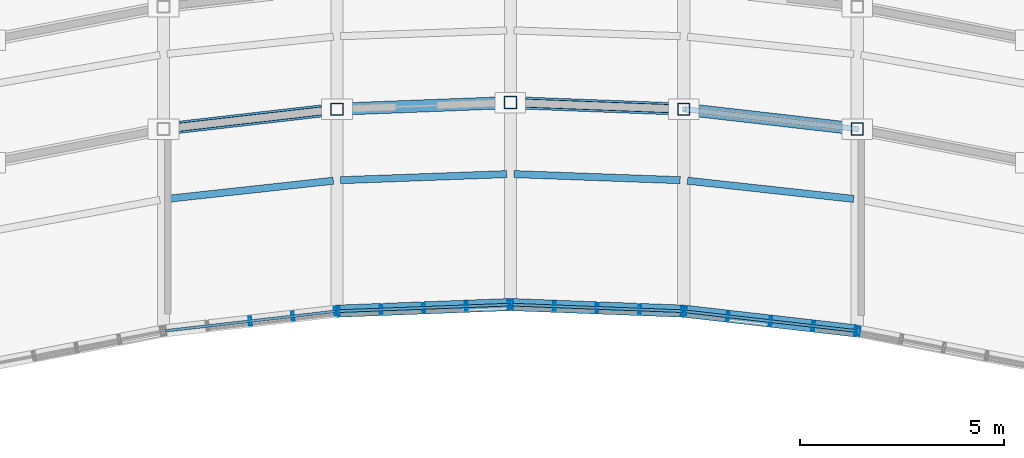
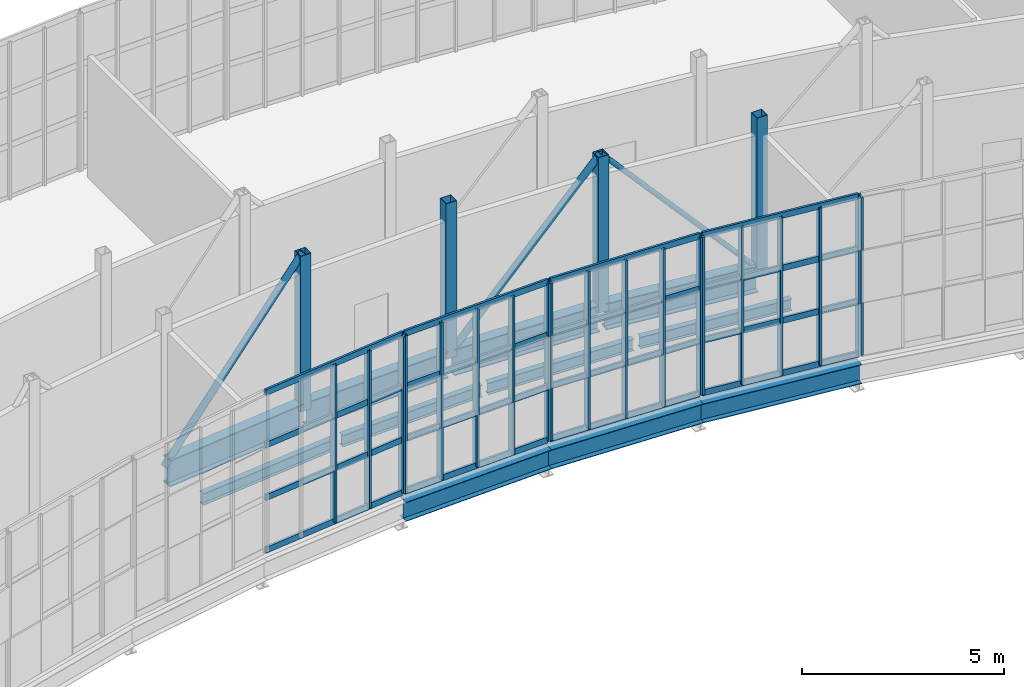
# One storey, part 38 of 86: 42 members, 11 beams, 5 elements without a shape of their own.
"""IFC4 building model written with IfcOpenShell, lengths in metres."""

from ifc_helpers import new_model, si_unit, direction, frame, origin, origin_2d, place, context, subcontext, project, spatial, hollow_rectangle, hollow_circle, i_section, extrude, material, material_profile, profile_set, type_object, element, aggregate, save


model = new_model("IFC4")

# Units and contexts
model_context = context("Model", 3, precision=1e-05, world=origin(), true_north=direction((0.0, 1.0)))
body_context = subcontext(model_context, "Body", "Model", "MODEL_VIEW")
ifc_project = project(units=[si_unit("LENGTHUNIT", "METRE"), si_unit("AREAUNIT", "SQUARE_METRE"), si_unit("VOLUMEUNIT", "CUBIC_METRE"), si_unit("PLANEANGLEUNIT", "RADIAN"), si_unit("MASSUNIT", "GRAM", prefix="KILO")], contexts=[model_context])

# Site, building, storey
site_placement = place(None, origin())
site = spatial("IfcSite", under=ifc_project, at=site_placement, CompositionType="ELEMENT")
building_placement = place(site_placement, origin())
building = spatial("IfcBuilding", under=site, at=building_placement, Name="Solvikara Media Centre", CompositionType="ELEMENT")
storey_placement = place(building_placement, frame((0.0, 0.0, 15.0)))
storey = spatial("IfcBuildingStorey", under=building, at=storey_placement, Name="L03", CompositionType="ELEMENT", Elevation=15.0)

# Beams
ifc_material_1 = material(Name="Steel S355JR", Category="steel")
ifc_material_profile_1 = material_profile(ifc_material_1, i_section(OverallWidth=0.300048828125, OverallDepth=0.800048828125, WebThickness=0.013916015625, FlangeThickness=0.02587890625, at=origin_2d()), Name="WF 800x300x14x26")
ifc_profile_set_1 = profile_set([ifc_material_profile_1], Name="Steel S355JR")
beam_type_1 = type_object("IfcBeamType", Name="BM-16", PredefinedType="BEAM", material=ifc_profile_set_1)
beam_1_placement = place(storey_placement, frame((93.589111328125, 29.778076171875, -0.6220703125), z_axis=(0.993485932274, 0.113954826025, 0.0), x_axis=(-0.113954826025, 0.993485932274, 0.0)))
element("IfcBeam", 1, at=beam_1_placement, inside=storey, type_object=beam_type_1, Name="B-L03-SPNS-04", PredefinedType="BEAM", context=body_context, shape_type="SweptSolid", body=[
    extrude(i_section(OverallWidth=0.300048828125, OverallDepth=0.800048828125, WebThickness=0.013916015625, FlangeThickness=0.02587890625, at=origin_2d()), origin(), (0.0, 0.0, 1.0), 4.098388671875),
])
for number, where, z_axis, x_axis, name in (
    (2, (97.840087890625, 30.258056640625, -0.6220703125), (0.999266124753, 0.038304202383, 0.0), (-0.038304202383, 0.999266124753, 0.0), "B-L03-SPNS-05"),
    (3, (102.090087890625, 30.4140625, -0.6220703125), (0.999266124753, -0.038304202383, 0.0), (0.038304202383, 0.999266124753, 0.0), "B-L03-SPNS-06"),
):
    element("IfcBeam", number, at=place(storey_placement, frame(where, z_axis=z_axis, x_axis=x_axis)), inside=storey, type_object=beam_type_1, Name=name, PredefinedType="BEAM", context=body_context, shape_type="SweptSolid", body=[
        extrude(i_section(OverallWidth=0.300048828125, OverallDepth=0.800048828125, WebThickness=0.013916015625, FlangeThickness=0.02587890625, at=origin_2d()), origin(), (0.0, 0.0, 1.0), 4.07275390625),
    ])
beam_2_placement = place(storey_placement, frame((106.339111328125, 30.2451171875, -0.6220703125), z_axis=(0.993485932274, -0.113954826025, 0.0), x_axis=(0.113954826025, 0.993485932274, 0.0)))
element("IfcBeam", 4, at=beam_2_placement, inside=storey, type_object=beam_type_1, Name="B-L03-SPNS-07", PredefinedType="BEAM", context=body_context, shape_type="SweptSolid", body=[
    extrude(i_section(OverallWidth=0.300048828125, OverallDepth=0.800048828125, WebThickness=0.013916015625, FlangeThickness=0.02587890625, at=origin_2d()), origin(), (0.0, 0.0, 1.0), 4.098388671875),
])
ifc_material_profile_2 = material_profile(ifc_material_1, i_section(OverallWidth=0.175048828125, OverallDepth=0.35009765625, WebThickness=0.007080078125, FlangeThickness=0.010986328125, at=origin_2d()), Name="WF 350x175x7x11")
ifc_profile_set_2 = profile_set([ifc_material_profile_2], Name="Steel S355JR")
beam_type_2 = type_object("IfcBeamType", Name="BM-22", PredefinedType="JOIST", material=ifc_profile_set_2)
beam_3_placement = place(storey_placement, frame((93.589111328125, 28.056884765625, -0.39697265625), z_axis=(0.994079138151, 0.108658488359, 0.0), x_axis=(-0.108658488359, 0.994079138151, 0.0)))
element("IfcBeam", 5, at=beam_3_placement, inside=storey, type_object=beam_type_2, Name="BJ-L03-04-20", PredefinedType="JOIST", context=body_context, shape_type="SweptSolid", body=[
    extrude(i_section(OverallWidth=0.175048828125, OverallDepth=0.35009765625, WebThickness=0.007080078125, FlangeThickness=0.010986328125, at=origin_2d()), origin(), (0.0, 0.0, 1.0), 4.095947265625),
])
for number, where, z_axis, x_axis, name in (
    (6, (97.840087890625, 28.514892578125, -0.39697265625), (0.999328966943, 0.036628074313, 0.0), (-0.036628074313, 0.999328966943, 0.0), "BJ-L03-05-20"),
    (7, (102.090087890625, 28.6640625, -0.39697265625), (0.999328966943, -0.036628074313, 0.0), (0.036628074313, 0.999328966943, 0.0), "BJ-L03-06-20"),
):
    element("IfcBeam", number, at=place(storey_placement, frame(where, z_axis=z_axis, x_axis=x_axis)), inside=storey, type_object=beam_type_2, Name=name, PredefinedType="JOIST", context=body_context, shape_type="SweptSolid", body=[
        extrude(i_section(OverallWidth=0.175048828125, OverallDepth=0.35009765625, WebThickness=0.007080078125, FlangeThickness=0.010986328125, at=origin_2d()), origin(), (0.0, 0.0, 1.0), 4.072509765625),
    ])
beam_4_placement = place(storey_placement, frame((106.339111328125, 28.501953125, -0.39697265625), z_axis=(0.994079138151, -0.108658488359, 0.0), x_axis=(0.108658488359, 0.994079138151, 0.0)))
element("IfcBeam", 8, at=beam_4_placement, inside=storey, type_object=beam_type_2, Name="BJ-L03-07-20", PredefinedType="JOIST", context=body_context, shape_type="SweptSolid", body=[
    extrude(i_section(OverallWidth=0.175048828125, OverallDepth=0.35009765625, WebThickness=0.007080078125, FlangeThickness=0.010986328125, at=origin_2d()), origin(), (0.0, 0.0, 1.0), 4.095947265625),
])
ifc_material_profile_3 = material_profile(ifc_material_1, i_section(OverallWidth=0.300048828125, OverallDepth=0.58203125, WebThickness=0.011962890625, FlangeThickness=0.01708984375, at=origin_2d()), Name="WF 582x300x12x17")
ifc_profile_set_3 = profile_set([ifc_material_profile_3], Name="Steel S355JR")
beam_type_3 = type_object("IfcBeamType", Name="BM-31", PredefinedType="SPANDREL", material=ifc_profile_set_3)
for number, where, z_axis, x_axis, name in (
    (9, (97.75, 25.304931640625, -0.512939453125), (0.999273334025, 0.038115664855, 0.0), (-0.038115664855, 0.999273334025, 0.0), "B-L03-SARC-05"),
    (10, (102.0, 25.467041015625, -0.512939453125), (0.999273334025, -0.038115664855, 0.0), (0.038115664855, 0.999273334025, 0.0), "B-L03-SARC-06"),
):
    element("IfcBeam", number, at=place(storey_placement, frame(where, z_axis=z_axis, x_axis=x_axis)), inside=storey, type_object=beam_type_3, Name=name, PredefinedType="SPANDREL", context=body_context, shape_type="SweptSolid", body=[
        extrude(i_section(OverallWidth=0.300048828125, OverallDepth=0.58203125, WebThickness=0.011962890625, FlangeThickness=0.01708984375, at=origin_2d()), origin(), (0.0, 0.0, 1.0), 4.253173828125),
    ])
beam_5_placement = place(storey_placement, frame((106.25, 25.304931640625, -0.512939453125), z_axis=(0.993503575407, -0.113800903571, 0.0), x_axis=(0.113800903571, 0.993503575407, 0.0)))
element("IfcBeam", 11, at=beam_5_placement, inside=storey, type_object=beam_type_3, Name="B-L03-SARC-07", PredefinedType="SPANDREL", context=body_context, shape_type="SweptSolid", body=[
    extrude(i_section(OverallWidth=0.300048828125, OverallDepth=0.58203125, WebThickness=0.011962890625, FlangeThickness=0.01708984375, at=origin_2d()), origin(), (0.0, 0.0, 1.0), 4.27783203125),
])

# Members
ifc_material_profile_4 = material_profile(ifc_material_1, hollow_circle(Radius=0.096923828125, WallThickness=0.008056640625, at=origin_2d()), Name="CHS 193.7x8")
ifc_profile_set_4 = profile_set([ifc_material_profile_4], Name="Steel S355JR")
member_type_1 = type_object("IfcMemberType", Name="MB-06", PredefinedType="BRACE", material=ifc_profile_set_4)
member_1_placement = place(storey_placement, frame((93.5, 29.76806640625, -0.449951171875), z_axis=(0.668739862993, 0.076600832193, 0.739539930059), x_axis=(-0.113800903571, 0.993503575407, 0.0)))
element("IfcMember", 12, at=member_1_placement, inside=storey, type_object=member_type_1, Name="WTR-L03-S-DA04", PredefinedType="BRACE", context=body_context, shape_type="SweptSolid", body=[
    extrude(hollow_circle(Radius=0.096923828125, WallThickness=0.008056640625, at=origin_2d()), origin(), (0.0, 0.0, 1.0), 6.355224609375),
])
member_2_placement = place(storey_placement, frame((102.0, 30.4169921875, -0.449951171875), z_axis=(0.67049113608, -0.025574799768, 0.741476611941), x_axis=(0.038115664855, 0.999273334025, 0.0)))
element("IfcMember", 13, at=member_2_placement, inside=storey, type_object=member_type_1, Name="WTR-L03-S-DA06", PredefinedType="BRACE", context=body_context, shape_type="SweptSolid", body=[
    extrude(hollow_circle(Radius=0.096923828125, WallThickness=0.008056640625, at=origin_2d()), origin(), (0.0, 0.0, 1.0), 6.338623046875),
])
ifc_material_profile_5 = material_profile(ifc_material_1, hollow_circle(Radius=0.06982421875, WallThickness=0.00634765625, at=origin_2d()), Name="CHS 139.7x6.3")
ifc_profile_set_5 = profile_set([ifc_material_profile_5], Name="Steel S355JR")
member_type_2 = type_object("IfcMemberType", Name="MB-08", PredefinedType="BRACE", material=ifc_profile_set_5)
member_3_placement = place(storey_placement, frame((106.25, 30.2548828125, 4.25), z_axis=(0.668739862993, -0.076600832193, -0.739539930059), x_axis=(0.113800903571, 0.993503575407, 0.0)))
element("IfcMember", 14, at=member_3_placement, inside=storey, type_object=member_type_2, Name="WTR-L03-S-DB07", PredefinedType="BRACE", context=body_context, shape_type="SweptSolid", body=[
    extrude(hollow_circle(Radius=0.06982421875, WallThickness=0.00634765625, at=origin_2d()), origin(), (0.0, 0.0, 1.0), 6.355224609375),
])
ifc_material_profile_6 = material_profile(ifc_material_1, hollow_rectangle(XDim=0.300048828125, YDim=0.300048828125, WallThickness=0.012451171875, at=origin_2d()), Name="RHS 300x300x12.5")
ifc_profile_set_6 = profile_set([ifc_material_profile_6], Name="Steel S355JR")
member_type_3 = type_object("IfcMemberType", Name="MB-11", PredefinedType="CHORD", material=ifc_profile_set_6)
for number, where, z_axis, x_axis, name in (
    (15, (97.75, 30.2548828125, -0.449951171875), (0.0, 0.0, 1.0), (1.0, 0.0, 0.0), "WTR-L03-S-V05"),
    (16, (102.0, 30.4169921875, -0.449951171875), (0.0, 0.0, 1.0), (1.0, 0.0, 0.0), "WTR-L03-S-V06"),
    (17, (106.25, 30.2548828125, -0.449951171875), (0.0, 0.0, 1.0), (1.0, 0.0, 0.0), "WTR-L03-S-V07"),
    (18, (110.5, 29.76806640625, -0.449951171875), (0.0, 0.0, 1.0), (1.0, 0.0, 0.0), "WTR-L03-S-V08"),
):
    element("IfcMember", number, at=place(storey_placement, frame(where, z_axis=z_axis, x_axis=x_axis)), inside=storey, type_object=member_type_3, Name=name, PredefinedType="CHORD", context=body_context, shape_type="SweptSolid", body=[
        extrude(hollow_rectangle(XDim=0.300048828125, YDim=0.300048828125, WallThickness=0.012451171875, at=origin_2d()), origin(), (0.0, 0.0, 1.0), 4.699951171875),
    ])

# Curtain wall, members
ifc_material_2 = material(Name="Anodised aluminium EN AW-6063", Category="aluminium")
curtain_wall_type = type_object("IfcCurtainWallType", Name="CW-01", PredefinedType="NOTDEFINED", material=ifc_material_2)
curtain_wall_1_placement = place(storey_placement, origin())
curtain_wall_1 = element("IfcCurtainWall", 19, at=curtain_wall_1_placement, inside=storey, type_object=curtain_wall_type, Name="CW-L03-SARC-04", PredefinedType="NOTDEFINED")
ifc_material_profile_7 = material_profile(ifc_material_2, hollow_rectangle(XDim=0.06494140625, YDim=0.219970703125, WallThickness=0.00390625, at=origin_2d()), Name="ALU-M 65x220x4")
ifc_profile_set_7 = profile_set([ifc_material_profile_7], Name="Anodised aluminium EN AW-6063")
member_type_4 = type_object("IfcMemberType", Name="MF-01", PredefinedType="MULLION", material=ifc_profile_set_7)
member_4_placement = place(storey_placement, frame((95.625, 25.06201171875, 0.02001953125), z_axis=(0.0, 0.0, 1.0), x_axis=(0.993498545066, 0.113844810828, 0.0)))
member_4 = element("IfcMember", 20, at=member_4_placement, type_object=member_type_4, Name="CW-L03-SARC-04-M02", PredefinedType="MULLION", context=body_context, shape_type="SweptSolid", body=[
    extrude(hollow_rectangle(XDim=0.06494140625, YDim=0.219970703125, WallThickness=0.00390625, at=origin_2d()), origin(), (0.0, 0.0, 1.0), 4.760009765625),
])
member_5_placement = place(storey_placement, frame((96.669921875, 25.180908203125, 0.02001953125), z_axis=(0.0, 0.0, 1.0), x_axis=(0.993498545066, 0.113844810828, 0.0)))
member_5 = element("IfcMember", 21, at=member_5_placement, type_object=member_type_4, Name="CW-L03-SARC-04-M03", PredefinedType="MULLION", context=body_context, shape_type="SweptSolid", body=[
    extrude(hollow_rectangle(XDim=0.06494140625, YDim=0.219970703125, WallThickness=0.00390625, at=origin_2d()), origin(), (0.0, 0.0, 1.0), 4.760009765625),
])
member_6_placement = place(storey_placement, frame((97.715087890625, 25.301025390625, 0.02001953125), z_axis=(0.0, 0.0, 1.0), x_axis=(0.993498545066, 0.113844810828, 0.0)))
member_6 = element("IfcMember", 22, at=member_6_placement, type_object=member_type_4, Name="CW-L03-SARC-04-M04", PredefinedType="MULLION", context=body_context, shape_type="SweptSolid", body=[
    extrude(hollow_rectangle(XDim=0.06494140625, YDim=0.219970703125, WallThickness=0.00390625, at=origin_2d()), origin(), (0.0, 0.0, 1.0), 4.760009765625),
])

curtain_wall_2_placement = place(storey_placement, origin())
curtain_wall_2 = element("IfcCurtainWall", 23, at=curtain_wall_2_placement, inside=storey, type_object=curtain_wall_type, Name="CW-L03-SARC-05", PredefinedType="NOTDEFINED")
member_7_placement = place(storey_placement, frame((97.784912109375, 25.305908203125, 0.02001953125), z_axis=(0.0, 0.0, 1.0), x_axis=(0.999268266619, 0.03824828529, 0.0)))
member_7 = element("IfcMember", 24, at=member_7_placement, type_object=member_type_4, Name="CW-L03-SARC-05-M00", PredefinedType="MULLION", context=body_context, shape_type="SweptSolid", body=[
    extrude(hollow_rectangle(XDim=0.06494140625, YDim=0.219970703125, WallThickness=0.00390625, at=origin_2d()), origin(), (0.0, 0.0, 1.0), 4.760009765625),
])
member_8_placement = place(storey_placement, frame((98.830078125, 25.345947265625, 0.02001953125), z_axis=(0.0, 0.0, 1.0), x_axis=(0.999268266619, 0.03824828529, 0.0)))
member_8 = element("IfcMember", 25, at=member_8_placement, type_object=member_type_4, Name="CW-L03-SARC-05-M01", PredefinedType="MULLION", context=body_context, shape_type="SweptSolid", body=[
    extrude(hollow_rectangle(XDim=0.06494140625, YDim=0.219970703125, WallThickness=0.00390625, at=origin_2d()), origin(), (0.0, 0.0, 1.0), 4.760009765625),
])
member_9_placement = place(storey_placement, frame((99.875, 25.385986328125, 0.02001953125), z_axis=(0.0, 0.0, 1.0), x_axis=(0.999268266619, 0.03824828529, 0.0)))
member_9 = element("IfcMember", 26, at=member_9_placement, type_object=member_type_4, Name="CW-L03-SARC-05-M02", PredefinedType="MULLION", context=body_context, shape_type="SweptSolid", body=[
    extrude(hollow_rectangle(XDim=0.06494140625, YDim=0.219970703125, WallThickness=0.00390625, at=origin_2d()), origin(), (0.0, 0.0, 1.0), 4.760009765625),
])
member_10_placement = place(storey_placement, frame((100.919921875, 25.426025390625, 0.02001953125), z_axis=(0.0, 0.0, 1.0), x_axis=(0.999268266619, 0.03824828529, 0.0)))
member_10 = element("IfcMember", 27, at=member_10_placement, type_object=member_type_4, Name="CW-L03-SARC-05-M03", PredefinedType="MULLION", context=body_context, shape_type="SweptSolid", body=[
    extrude(hollow_rectangle(XDim=0.06494140625, YDim=0.219970703125, WallThickness=0.00390625, at=origin_2d()), origin(), (0.0, 0.0, 1.0), 4.760009765625),
])
member_11_placement = place(storey_placement, frame((101.965087890625, 25.466064453125, 0.02001953125), z_axis=(0.0, 0.0, 1.0), x_axis=(0.999268266619, 0.03824828529, 0.0)))
member_11 = element("IfcMember", 28, at=member_11_placement, type_object=member_type_4, Name="CW-L03-SARC-05-M04", PredefinedType="MULLION", context=body_context, shape_type="SweptSolid", body=[
    extrude(hollow_rectangle(XDim=0.06494140625, YDim=0.219970703125, WallThickness=0.00390625, at=origin_2d()), origin(), (0.0, 0.0, 1.0), 4.760009765625),
])

curtain_wall_3_placement = place(storey_placement, origin())
curtain_wall_3 = element("IfcCurtainWall", 29, at=curtain_wall_3_placement, inside=storey, type_object=curtain_wall_type, Name="CW-L03-SARC-06", PredefinedType="NOTDEFINED")
member_12_placement = place(storey_placement, frame((102.034912109375, 25.466064453125, 0.02001953125), z_axis=(0.0, 0.0, 1.0), x_axis=(0.999268266619, -0.03824828529, 0.0)))
member_12 = element("IfcMember", 30, at=member_12_placement, type_object=member_type_4, Name="CW-L03-SARC-06-M00", PredefinedType="MULLION", context=body_context, shape_type="SweptSolid", body=[
    extrude(hollow_rectangle(XDim=0.06494140625, YDim=0.219970703125, WallThickness=0.00390625, at=origin_2d()), origin(), (0.0, 0.0, 1.0), 4.760009765625),
])
member_13_placement = place(storey_placement, frame((103.080078125, 25.426025390625, 0.02001953125), z_axis=(0.0, 0.0, 1.0), x_axis=(0.999268266619, -0.03824828529, 0.0)))
member_13 = element("IfcMember", 31, at=member_13_placement, type_object=member_type_4, Name="CW-L03-SARC-06-M01", PredefinedType="MULLION", context=body_context, shape_type="SweptSolid", body=[
    extrude(hollow_rectangle(XDim=0.06494140625, YDim=0.219970703125, WallThickness=0.00390625, at=origin_2d()), origin(), (0.0, 0.0, 1.0), 4.760009765625),
])
member_14_placement = place(storey_placement, frame((104.125, 25.385986328125, 0.02001953125), z_axis=(0.0, 0.0, 1.0), x_axis=(0.999268266619, -0.03824828529, 0.0)))
member_14 = element("IfcMember", 32, at=member_14_placement, type_object=member_type_4, Name="CW-L03-SARC-06-M02", PredefinedType="MULLION", context=body_context, shape_type="SweptSolid", body=[
    extrude(hollow_rectangle(XDim=0.06494140625, YDim=0.219970703125, WallThickness=0.00390625, at=origin_2d()), origin(), (0.0, 0.0, 1.0), 4.760009765625),
])
member_15_placement = place(storey_placement, frame((105.169921875, 25.345947265625, 0.02001953125), z_axis=(0.0, 0.0, 1.0), x_axis=(0.999268266619, -0.03824828529, 0.0)))
member_15 = element("IfcMember", 33, at=member_15_placement, type_object=member_type_4, Name="CW-L03-SARC-06-M03", PredefinedType="MULLION", context=body_context, shape_type="SweptSolid", body=[
    extrude(hollow_rectangle(XDim=0.06494140625, YDim=0.219970703125, WallThickness=0.00390625, at=origin_2d()), origin(), (0.0, 0.0, 1.0), 4.760009765625),
])
member_16_placement = place(storey_placement, frame((106.215087890625, 25.305908203125, 0.02001953125), z_axis=(0.0, 0.0, 1.0), x_axis=(0.999268266619, -0.03824828529, 0.0)))
member_16 = element("IfcMember", 34, at=member_16_placement, type_object=member_type_4, Name="CW-L03-SARC-06-M04", PredefinedType="MULLION", context=body_context, shape_type="SweptSolid", body=[
    extrude(hollow_rectangle(XDim=0.06494140625, YDim=0.219970703125, WallThickness=0.00390625, at=origin_2d()), origin(), (0.0, 0.0, 1.0), 4.760009765625),
])

curtain_wall_4_placement = place(storey_placement, origin())
curtain_wall_4 = element("IfcCurtainWall", 35, at=curtain_wall_4_placement, inside=storey, type_object=curtain_wall_type, Name="CW-L03-SARC-07", PredefinedType="NOTDEFINED")
member_17_placement = place(storey_placement, frame((106.284912109375, 25.301025390625, 0.02001953125), z_axis=(0.0, 0.0, 1.0), x_axis=(0.993498545066, -0.113844810828, 0.0)))
member_17 = element("IfcMember", 36, at=member_17_placement, type_object=member_type_4, Name="CW-L03-SARC-07-M00", PredefinedType="MULLION", context=body_context, shape_type="SweptSolid", body=[
    extrude(hollow_rectangle(XDim=0.06494140625, YDim=0.219970703125, WallThickness=0.00390625, at=origin_2d()), origin(), (0.0, 0.0, 1.0), 4.760009765625),
])
member_18_placement = place(storey_placement, frame((107.330078125, 25.180908203125, 0.02001953125), z_axis=(0.0, 0.0, 1.0), x_axis=(0.993498545066, -0.113844810828, 0.0)))
member_18 = element("IfcMember", 37, at=member_18_placement, type_object=member_type_4, Name="CW-L03-SARC-07-M01", PredefinedType="MULLION", context=body_context, shape_type="SweptSolid", body=[
    extrude(hollow_rectangle(XDim=0.06494140625, YDim=0.219970703125, WallThickness=0.00390625, at=origin_2d()), origin(), (0.0, 0.0, 1.0), 4.760009765625),
])
member_19_placement = place(storey_placement, frame((108.375, 25.06103515625, 0.02001953125), z_axis=(0.0, 0.0, 1.0), x_axis=(0.993498545066, -0.113844810828, 0.0)))
member_19 = element("IfcMember", 38, at=member_19_placement, type_object=member_type_4, Name="CW-L03-SARC-07-M02", PredefinedType="MULLION", context=body_context, shape_type="SweptSolid", body=[
    extrude(hollow_rectangle(XDim=0.06494140625, YDim=0.219970703125, WallThickness=0.00390625, at=origin_2d()), origin(), (0.0, 0.0, 1.0), 4.760009765625),
])
member_20_placement = place(storey_placement, frame((109.419921875, 24.94189453125, 0.02001953125), z_axis=(0.0, 0.0, 1.0), x_axis=(0.993498545066, -0.113844810828, 0.0)))
member_20 = element("IfcMember", 39, at=member_20_placement, type_object=member_type_4, Name="CW-L03-SARC-07-M03", PredefinedType="MULLION", context=body_context, shape_type="SweptSolid", body=[
    extrude(hollow_rectangle(XDim=0.06494140625, YDim=0.219970703125, WallThickness=0.00390625, at=origin_2d()), origin(), (0.0, 0.0, 1.0), 4.760009765625),
])
member_21_placement = place(storey_placement, frame((110.465087890625, 24.822021484375, 0.02001953125), z_axis=(0.0, 0.0, 1.0), x_axis=(0.993498545066, -0.113844810828, 0.0)))
member_21 = element("IfcMember", 40, at=member_21_placement, type_object=member_type_4, Name="CW-L03-SARC-07-M04", PredefinedType="MULLION", context=body_context, shape_type="SweptSolid", body=[
    extrude(hollow_rectangle(XDim=0.06494140625, YDim=0.219970703125, WallThickness=0.00390625, at=origin_2d()), origin(), (0.0, 0.0, 1.0), 4.760009765625),
])

# Curtain wall, member
curtain_wall_5_placement = place(storey_placement, origin())
curtain_wall_5 = element("IfcCurtainWall", 41, at=curtain_wall_5_placement, inside=storey, type_object=curtain_wall_type, Name="CW-L03-SARC-08", PredefinedType="NOTDEFINED")
member_22_placement = place(storey_placement, frame((110.533935546875, 24.81103515625, 0.02001953125), z_axis=(0.0, 0.0, 1.0), x_axis=(0.981843017659, -0.189695252114, 0.0)))
member_22 = element("IfcMember", 42, at=member_22_placement, type_object=member_type_4, Name="CW-L03-SARC-08-M00", PredefinedType="MULLION", context=body_context, shape_type="SweptSolid", body=[
    extrude(hollow_rectangle(XDim=0.06494140625, YDim=0.219970703125, WallThickness=0.00390625, at=origin_2d()), origin(), (0.0, 0.0, 1.0), 4.760009765625),
])
aggregate(curtain_wall_5, [member_22])

# Member
ifc_material_profile_8 = material_profile(ifc_material_2, hollow_rectangle(XDim=0.06494140625, YDim=0.179931640625, WallThickness=0.00341796875, at=origin_2d()), Name="ALU-T 65x180x3.5")
ifc_profile_set_8 = profile_set([ifc_material_profile_8], Name="Anodised aluminium EN AW-6063")
member_type_5 = type_object("IfcMemberType", Name="MF-07", PredefinedType="USERDEFINED", material=ifc_profile_set_8)
member_23_placement = place(storey_placement, frame((93.534912109375, 24.822021484375, 0.02001953125), z_axis=(0.993498589361, 0.113844424269, 0.0), x_axis=(-0.113844424269, 0.993498589361, 0.0)))
member_23 = element("IfcMember", 43, at=member_23_placement, type_object=member_type_5, Name="CW-L03-SARC-04-T00", ObjectType="TRANSOM", PredefinedType="USERDEFINED", context=body_context, shape_type="SweptSolid", body=[
    extrude(hollow_rectangle(XDim=0.06494140625, YDim=0.179931640625, WallThickness=0.00341796875, at=origin_2d()), origin(), (0.0, 0.0, 1.0), 4.20751953125),
])

member_24_placement = place(storey_placement, frame((93.534912109375, 24.822021484375, 1.60693359375), z_axis=(0.993498589361, 0.113844424269, 0.0), x_axis=(-0.113844424269, 0.993498589361, 0.0)))
member_24 = element("IfcMember", 44, at=member_24_placement, type_object=member_type_5, Name="CW-L03-SARC-04-T01", ObjectType="TRANSOM", PredefinedType="USERDEFINED", context=body_context, shape_type="SweptSolid", body=[
    extrude(hollow_rectangle(XDim=0.06494140625, YDim=0.179931640625, WallThickness=0.00341796875, at=origin_2d()), origin(), (0.0, 0.0, 1.0), 4.20751953125),
])

member_25_placement = place(storey_placement, frame((93.534912109375, 24.822021484375, 3.193115234375), z_axis=(0.993498589361, 0.113844424269, 0.0), x_axis=(-0.113844424269, 0.993498589361, 0.0)))
member_25 = element("IfcMember", 45, at=member_25_placement, type_object=member_type_5, Name="CW-L03-SARC-04-T02", ObjectType="TRANSOM", PredefinedType="USERDEFINED", context=body_context, shape_type="SweptSolid", body=[
    extrude(hollow_rectangle(XDim=0.06494140625, YDim=0.179931640625, WallThickness=0.00341796875, at=origin_2d()), origin(), (0.0, 0.0, 1.0), 4.20751953125),
])

member_26_placement = place(storey_placement, frame((93.534912109375, 24.822021484375, 4.780029296875), z_axis=(0.993498589361, 0.113844424269, 0.0), x_axis=(-0.113844424269, 0.993498589361, 0.0)))
member_26 = element("IfcMember", 46, at=member_26_placement, type_object=member_type_5, Name="CW-L03-SARC-04-T03", ObjectType="TRANSOM", PredefinedType="USERDEFINED", context=body_context, shape_type="SweptSolid", body=[
    extrude(hollow_rectangle(XDim=0.06494140625, YDim=0.179931640625, WallThickness=0.00341796875, at=origin_2d()), origin(), (0.0, 0.0, 1.0), 4.20751953125),
])

aggregate(curtain_wall_1, [member_4, member_5, member_6, member_23, member_24, member_25, member_26])

member_27_placement = place(storey_placement, frame((97.784912109375, 25.305908203125, 0.02001953125), z_axis=(0.999266853288, 0.038285191903, 0.0), x_axis=(-0.038285191903, 0.999266853288, 0.0)))
member_27 = element("IfcMember", 47, at=member_27_placement, type_object=member_type_5, Name="CW-L03-SARC-05-T00", ObjectType="TRANSOM", PredefinedType="USERDEFINED", context=body_context, shape_type="SweptSolid", body=[
    extrude(hollow_rectangle(XDim=0.06494140625, YDim=0.179931640625, WallThickness=0.00341796875, at=origin_2d()), origin(), (0.0, 0.0, 1.0), 4.183349609375),
])

member_28_placement = place(storey_placement, frame((97.784912109375, 25.305908203125, 1.60693359375), z_axis=(0.999266853288, 0.038285191903, 0.0), x_axis=(-0.038285191903, 0.999266853288, 0.0)))
member_28 = element("IfcMember", 48, at=member_28_placement, type_object=member_type_5, Name="CW-L03-SARC-05-T01", ObjectType="TRANSOM", PredefinedType="USERDEFINED", context=body_context, shape_type="SweptSolid", body=[
    extrude(hollow_rectangle(XDim=0.06494140625, YDim=0.179931640625, WallThickness=0.00341796875, at=origin_2d()), origin(), (0.0, 0.0, 1.0), 4.183349609375),
])

member_29_placement = place(storey_placement, frame((97.784912109375, 25.305908203125, 3.193115234375), z_axis=(0.999266853288, 0.038285191903, 0.0), x_axis=(-0.038285191903, 0.999266853288, 0.0)))
member_29 = element("IfcMember", 49, at=member_29_placement, type_object=member_type_5, Name="CW-L03-SARC-05-T02", ObjectType="TRANSOM", PredefinedType="USERDEFINED", context=body_context, shape_type="SweptSolid", body=[
    extrude(hollow_rectangle(XDim=0.06494140625, YDim=0.179931640625, WallThickness=0.00341796875, at=origin_2d()), origin(), (0.0, 0.0, 1.0), 4.183349609375),
])

member_30_placement = place(storey_placement, frame((97.784912109375, 25.305908203125, 4.780029296875), z_axis=(0.999266853288, 0.038285191903, 0.0), x_axis=(-0.038285191903, 0.999266853288, 0.0)))
member_30 = element("IfcMember", 50, at=member_30_placement, type_object=member_type_5, Name="CW-L03-SARC-05-T03", ObjectType="TRANSOM", PredefinedType="USERDEFINED", context=body_context, shape_type="SweptSolid", body=[
    extrude(hollow_rectangle(XDim=0.06494140625, YDim=0.179931640625, WallThickness=0.00341796875, at=origin_2d()), origin(), (0.0, 0.0, 1.0), 4.183349609375),
])

aggregate(curtain_wall_2, [member_7, member_8, member_9, member_10, member_11, member_27, member_28, member_29, member_30])

member_31_placement = place(storey_placement, frame((102.034912109375, 25.466064453125, 0.02001953125), z_axis=(0.999266853288, -0.038285191903, 0.0), x_axis=(0.038285191903, 0.999266853288, 0.0)))
member_31 = element("IfcMember", 51, at=member_31_placement, type_object=member_type_5, Name="CW-L03-SARC-06-T00", ObjectType="TRANSOM", PredefinedType="USERDEFINED", context=body_context, shape_type="SweptSolid", body=[
    extrude(hollow_rectangle(XDim=0.06494140625, YDim=0.179931640625, WallThickness=0.00341796875, at=origin_2d()), origin(), (0.0, 0.0, 1.0), 4.183349609375),
])

member_32_placement = place(storey_placement, frame((102.034912109375, 25.466064453125, 1.60693359375), z_axis=(0.999266853288, -0.038285191903, 0.0), x_axis=(0.038285191903, 0.999266853288, 0.0)))
member_32 = element("IfcMember", 52, at=member_32_placement, type_object=member_type_5, Name="CW-L03-SARC-06-T01", ObjectType="TRANSOM", PredefinedType="USERDEFINED", context=body_context, shape_type="SweptSolid", body=[
    extrude(hollow_rectangle(XDim=0.06494140625, YDim=0.179931640625, WallThickness=0.00341796875, at=origin_2d()), origin(), (0.0, 0.0, 1.0), 4.183349609375),
])

member_33_placement = place(storey_placement, frame((102.034912109375, 25.466064453125, 3.193115234375), z_axis=(0.999266853288, -0.038285191903, 0.0), x_axis=(0.038285191903, 0.999266853288, 0.0)))
member_33 = element("IfcMember", 53, at=member_33_placement, type_object=member_type_5, Name="CW-L03-SARC-06-T02", ObjectType="TRANSOM", PredefinedType="USERDEFINED", context=body_context, shape_type="SweptSolid", body=[
    extrude(hollow_rectangle(XDim=0.06494140625, YDim=0.179931640625, WallThickness=0.00341796875, at=origin_2d()), origin(), (0.0, 0.0, 1.0), 4.183349609375),
])

member_34_placement = place(storey_placement, frame((102.034912109375, 25.466064453125, 4.780029296875), z_axis=(0.999266853288, -0.038285191903, 0.0), x_axis=(0.038285191903, 0.999266853288, 0.0)))
member_34 = element("IfcMember", 54, at=member_34_placement, type_object=member_type_5, Name="CW-L03-SARC-06-T03", ObjectType="TRANSOM", PredefinedType="USERDEFINED", context=body_context, shape_type="SweptSolid", body=[
    extrude(hollow_rectangle(XDim=0.06494140625, YDim=0.179931640625, WallThickness=0.00341796875, at=origin_2d()), origin(), (0.0, 0.0, 1.0), 4.183349609375),
])

aggregate(curtain_wall_3, [member_12, member_13, member_14, member_15, member_16, member_31, member_32, member_33, member_34])

member_35_placement = place(storey_placement, frame((106.284912109375, 25.301025390625, 0.02001953125), z_axis=(0.993498589361, -0.113844424269, 0.0), x_axis=(0.113844424269, 0.993498589361, 0.0)))
member_35 = element("IfcMember", 55, at=member_35_placement, type_object=member_type_5, Name="CW-L03-SARC-07-T00", ObjectType="TRANSOM", PredefinedType="USERDEFINED", context=body_context, shape_type="SweptSolid", body=[
    extrude(hollow_rectangle(XDim=0.06494140625, YDim=0.179931640625, WallThickness=0.00341796875, at=origin_2d()), origin(), (0.0, 0.0, 1.0), 4.20751953125),
])

member_36_placement = place(storey_placement, frame((106.284912109375, 25.301025390625, 1.60693359375), z_axis=(0.993498589361, -0.113844424269, 0.0), x_axis=(0.113844424269, 0.993498589361, 0.0)))
member_36 = element("IfcMember", 56, at=member_36_placement, type_object=member_type_5, Name="CW-L03-SARC-07-T01", ObjectType="TRANSOM", PredefinedType="USERDEFINED", context=body_context, shape_type="SweptSolid", body=[
    extrude(hollow_rectangle(XDim=0.06494140625, YDim=0.179931640625, WallThickness=0.00341796875, at=origin_2d()), origin(), (0.0, 0.0, 1.0), 4.20751953125),
])

member_37_placement = place(storey_placement, frame((106.284912109375, 25.301025390625, 3.193115234375), z_axis=(0.993498589361, -0.113844424269, 0.0), x_axis=(0.113844424269, 0.993498589361, 0.0)))
member_37 = element("IfcMember", 57, at=member_37_placement, type_object=member_type_5, Name="CW-L03-SARC-07-T02", ObjectType="TRANSOM", PredefinedType="USERDEFINED", context=body_context, shape_type="SweptSolid", body=[
    extrude(hollow_rectangle(XDim=0.06494140625, YDim=0.179931640625, WallThickness=0.00341796875, at=origin_2d()), origin(), (0.0, 0.0, 1.0), 4.20751953125),
])

member_38_placement = place(storey_placement, frame((106.284912109375, 25.301025390625, 4.780029296875), z_axis=(0.993498589361, -0.113844424269, 0.0), x_axis=(0.113844424269, 0.993498589361, 0.0)))
member_38 = element("IfcMember", 58, at=member_38_placement, type_object=member_type_5, Name="CW-L03-SARC-07-T03", ObjectType="TRANSOM", PredefinedType="USERDEFINED", context=body_context, shape_type="SweptSolid", body=[
    extrude(hollow_rectangle(XDim=0.06494140625, YDim=0.179931640625, WallThickness=0.00341796875, at=origin_2d()), origin(), (0.0, 0.0, 1.0), 4.20751953125),
])

aggregate(curtain_wall_4, [member_17, member_18, member_19, member_20, member_21, member_35, member_36, member_37, member_38])

save(model, "model.ifc")
